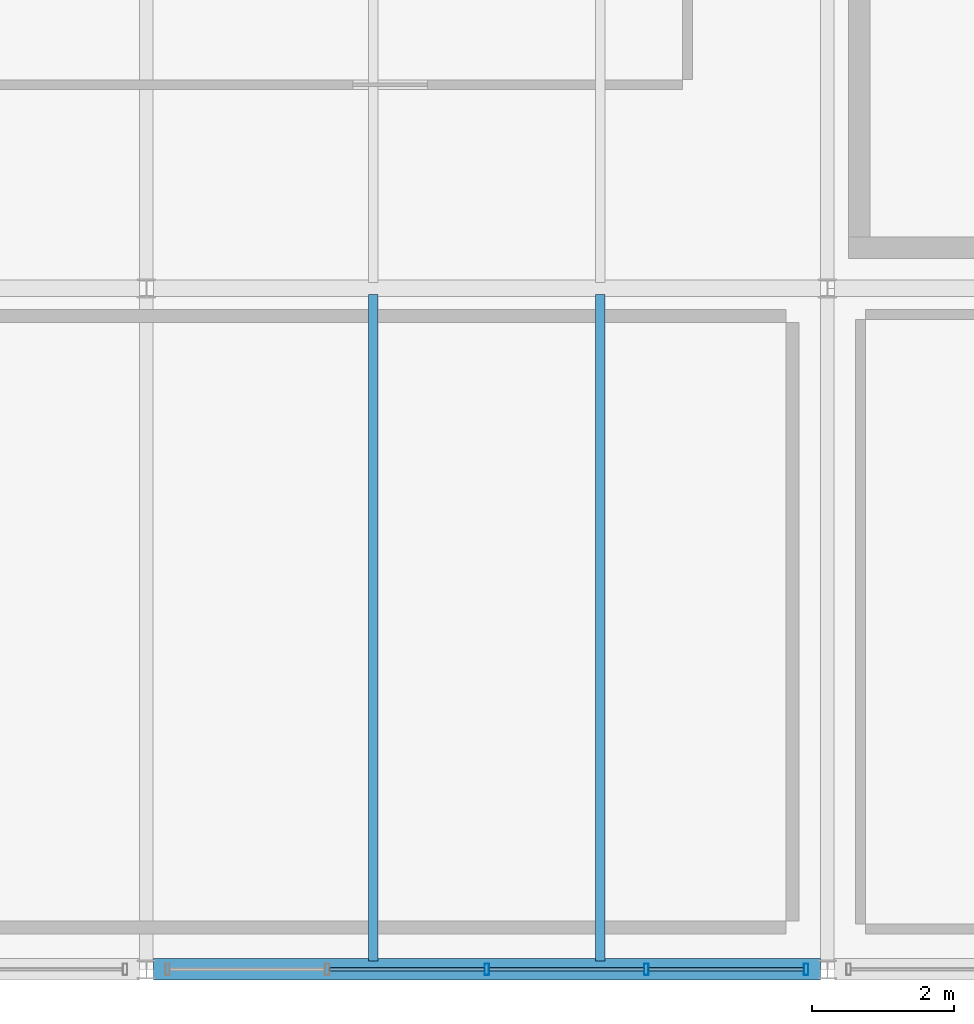
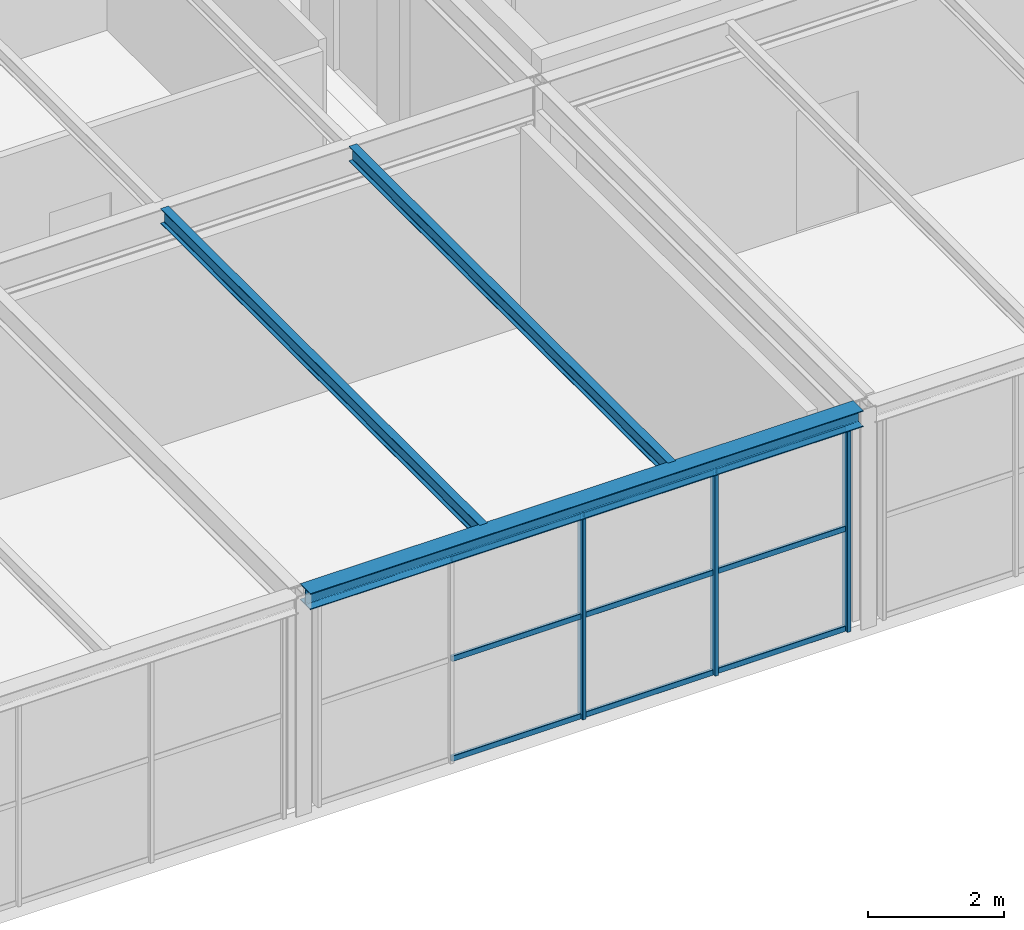
# One storey, part 20 of 39: 12 members, 3 beams, 1 element without a shape of its own.
"""IFC4 building model written with IfcOpenShell, lengths in metres."""

from ifc_helpers import new_model, si_unit, direction, frame, origin, origin_2d, place, context, subcontext, project, spatial, hollow_rectangle, i_section, extrude, material, material_profile, profile_set, type_object, element, aggregate, save


model = new_model("IFC4")

# Units and contexts
model_context = context("Model", 3, precision=1e-05, world=origin(), true_north=direction((0.0, 1.0)))
body_context = subcontext(model_context, "Body", "Model", "MODEL_VIEW")
ifc_project = project(units=[si_unit("LENGTHUNIT", "METRE"), si_unit("AREAUNIT", "SQUARE_METRE"), si_unit("VOLUMEUNIT", "CUBIC_METRE"), si_unit("PLANEANGLEUNIT", "RADIAN"), si_unit("MASSUNIT", "GRAM", prefix="KILO")], contexts=[model_context])

# Site, building, storey
site_placement = place(None, origin())
site = spatial("IfcSite", under=ifc_project, at=site_placement, CompositionType="ELEMENT")
building_placement = place(site_placement, origin())
building = spatial("IfcBuilding", under=site, at=building_placement, Name="Coralgate Yard Interchange", CompositionType="ELEMENT")
storey_placement = place(building_placement, frame((0.0, 0.0, 18.89990234375)))
storey = spatial("IfcBuildingStorey", under=building, at=storey_placement, Name="L04", CompositionType="ELEMENT", Elevation=18.89990234375)

# Beams
ifc_material_1 = material(Name="Structural steel S355J2", Category="steel")
ifc_material_profile_1 = material_profile(ifc_material_1, i_section(OverallWidth=0.135009765625, OverallDepth=0.27001953125, WebThickness=0.006591796875, FlangeThickness=0.01025390625, FilletRadius=0.014892578125, at=origin_2d()), Name="IPE 270")
ifc_profile_set_1 = profile_set([ifc_material_profile_1], Name="Structural steel S355J2")
beam_type_1 = type_object("IfcBeamType", Name="BM-SJ-3", PredefinedType="JOIST", material=ifc_profile_set_1)
for number, where, z_axis, x_axis, name in (
    (1, (41.60009765625, 0.1201171875, 3.815185546875), (0.0, 1.0, 0.0), (-1.0, 0.0, 0.0), "L04 composite floor joist 4-0-1"),
    (2, (44.800048828125, 0.1201171875, 3.815185546875), (0.0, 1.0, 0.0), (-1.0, 0.0, 0.0), "L04 composite floor joist 4-0-2"),
):
    element("IfcBeam", number, at=place(storey_placement, frame(where, z_axis=z_axis, x_axis=x_axis)), inside=storey, type_object=beam_type_1, Name=name, PredefinedType="JOIST", context=body_context, shape_type="SweptSolid", body=[
        extrude(i_section(OverallWidth=0.135009765625, OverallDepth=0.27001953125, WebThickness=0.006591796875, FlangeThickness=0.01025390625, FilletRadius=0.014892578125, at=origin_2d()), origin(), (0.0, 0.0, 1.0), 9.395751953125),
    ])
ifc_material_profile_2 = material_profile(ifc_material_1, i_section(OverallWidth=0.300048828125, OverallDepth=0.2900390625, WebThickness=0.008544921875, FlangeThickness=0.013916015625, FilletRadius=0.027099609375, at=origin_2d()), Name="HEA 300")
ifc_profile_set_2 = profile_set([ifc_material_profile_2], Name="Structural steel S355J2")
beam_type_2 = type_object("IfcBeamType", Name="BM-SP-2", PredefinedType="SPANDREL", material=ifc_profile_set_2)
beam_placement = place(storey_placement, frame((38.49951171875, 0.0, 3.80517578125), z_axis=(1.0, 0.0, 0.0), x_axis=(0.0, 1.0, 0.0)))
element("IfcBeam", 3, at=beam_placement, inside=storey, type_object=beam_type_2, Name="L04 primary grid beam Y0 X4-5", PredefinedType="SPANDREL", context=body_context, shape_type="SweptSolid", body=[
    extrude(i_section(OverallWidth=0.300048828125, OverallDepth=0.2900390625, WebThickness=0.008544921875, FlangeThickness=0.013916015625, FilletRadius=0.027099609375, at=origin_2d()), origin(), (0.0, 0.0, 1.0), 9.401123046875),
])

# Curtain wall, members
ifc_material_2 = material(Name="Anodised coastal aluminium and solar-control low-E glass", Category="aluminium")
curtain_wall_type = type_object("IfcCurtainWallType", Name="CW-CW-L04-A", PredefinedType="NOTDEFINED", material=ifc_material_2)
curtain_wall_placement = place(storey_placement, origin())
curtain_wall = element("IfcCurtainWall", 4, at=curtain_wall_placement, inside=storey, type_object=curtain_wall_type, Name="L04 unitised curtain wall CW-L04-S-04-00", PredefinedType="NOTDEFINED")
ifc_material_3 = material(Name="Anodised coastal aluminium 6063-T6", Category="aluminium")
ifc_material_profile_3 = material_profile(ifc_material_3, hollow_rectangle(XDim=0.06494140625, YDim=0.159912109375, WallThickness=0.00390625, InnerFilletRadius=0.00390625, OuterFilletRadius=0.008056640625, at=origin_2d()), Name="ALU 65x160x4")
ifc_profile_set_3 = profile_set([ifc_material_profile_3], Name="Anodised coastal aluminium 6063-T6")
member_type_1 = type_object("IfcMemberType", Name="MB-MUL-160", PredefinedType="MULLION", material=ifc_profile_set_3)
member_1_placement = place(storey_placement, frame((47.699951171875, 0.0, 0.0), z_axis=(0.0, 0.0, 1.0), x_axis=(1.0, 0.0, 0.0)))
member_1 = element("IfcMember", 5, at=member_1_placement, type_object=member_type_1, Name="CW-L04-S-04-00 vertical mullion 1", PredefinedType="MULLION", context=body_context, shape_type="SweptSolid", body=[
    extrude(hollow_rectangle(XDim=0.06494140625, YDim=0.159912109375, WallThickness=0.00390625, InnerFilletRadius=0.00390625, OuterFilletRadius=0.008056640625, at=origin_2d()), origin(), (0.0, 0.0, 1.0), 3.66015625),
])
member_2_placement = place(storey_placement, frame((45.449951171875, 0.0, 0.0), z_axis=(0.0, 0.0, 1.0), x_axis=(1.0, 0.0, 0.0)))
member_2 = element("IfcMember", 6, at=member_2_placement, type_object=member_type_1, Name="CW-L04-S-04-00 vertical mullion 2", PredefinedType="MULLION", context=body_context, shape_type="SweptSolid", body=[
    extrude(hollow_rectangle(XDim=0.06494140625, YDim=0.159912109375, WallThickness=0.00390625, InnerFilletRadius=0.00390625, OuterFilletRadius=0.008056640625, at=origin_2d()), origin(), (0.0, 0.0, 1.0), 3.66015625),
])
member_3_placement = place(storey_placement, frame((43.199951171875, 0.0, 0.0), z_axis=(0.0, 0.0, 1.0), x_axis=(1.0, 0.0, 0.0)))
member_3 = element("IfcMember", 7, at=member_3_placement, type_object=member_type_1, Name="CW-L04-S-04-00 vertical mullion 3", PredefinedType="MULLION", context=body_context, shape_type="SweptSolid", body=[
    extrude(hollow_rectangle(XDim=0.06494140625, YDim=0.159912109375, WallThickness=0.00390625, InnerFilletRadius=0.00390625, OuterFilletRadius=0.008056640625, at=origin_2d()), origin(), (0.0, 0.0, 1.0), 3.66015625),
])
ifc_material_profile_4 = material_profile(ifc_material_3, hollow_rectangle(XDim=0.050048828125, YDim=0.10009765625, WallThickness=0.0029296875, InnerFilletRadius=0.0029296875, OuterFilletRadius=0.006103515625, at=origin_2d()), Name="ALU 50x100x3")
ifc_profile_set_4 = profile_set([ifc_material_profile_4], Name="Anodised coastal aluminium 6063-T6")
member_type_2 = type_object("IfcMemberType", Name="MB-TRN-100", PredefinedType="USERDEFINED", material=ifc_profile_set_4)
member_4_placement = place(storey_placement, frame((47.669921875, 0.0, 0.03515625), z_axis=(-1.0, 0.0, 0.0), x_axis=(0.0, -1.0, 0.0)))
member_4 = element("IfcMember", 8, at=member_4_placement, type_object=member_type_2, Name="CW-L04-S-04-00 horizontal transom 1-1", ObjectType="TRANSOM", PredefinedType="USERDEFINED", context=body_context, shape_type="SweptSolid", body=[
    extrude(hollow_rectangle(XDim=0.050048828125, YDim=0.10009765625, WallThickness=0.0029296875, InnerFilletRadius=0.0029296875, OuterFilletRadius=0.006103515625, at=origin_2d()), origin(), (0.0, 0.0, 1.0), 2.18994140625),
])
member_5_placement = place(storey_placement, frame((47.669921875, 0.0, 1.830078125), z_axis=(-1.0, 0.0, 0.0), x_axis=(0.0, -1.0, 0.0)))
member_5 = element("IfcMember", 9, at=member_5_placement, type_object=member_type_2, Name="CW-L04-S-04-00 horizontal transom 1-2", ObjectType="TRANSOM", PredefinedType="USERDEFINED", context=body_context, shape_type="SweptSolid", body=[
    extrude(hollow_rectangle(XDim=0.050048828125, YDim=0.10009765625, WallThickness=0.0029296875, InnerFilletRadius=0.0029296875, OuterFilletRadius=0.006103515625, at=origin_2d()), origin(), (0.0, 0.0, 1.0), 2.18994140625),
])
member_6_placement = place(storey_placement, frame((47.669921875, 0.0, 3.625), z_axis=(-1.0, 0.0, 0.0), x_axis=(0.0, -1.0, 0.0)))
member_6 = element("IfcMember", 10, at=member_6_placement, type_object=member_type_2, Name="CW-L04-S-04-00 horizontal transom 1-3", ObjectType="TRANSOM", PredefinedType="USERDEFINED", context=body_context, shape_type="SweptSolid", body=[
    extrude(hollow_rectangle(XDim=0.050048828125, YDim=0.10009765625, WallThickness=0.0029296875, InnerFilletRadius=0.0029296875, OuterFilletRadius=0.006103515625, at=origin_2d()), origin(), (0.0, 0.0, 1.0), 2.18994140625),
])
member_7_placement = place(storey_placement, frame((45.419921875, 0.0, 0.03515625), z_axis=(-1.0, 0.0, 0.0), x_axis=(0.0, -1.0, 0.0)))
member_7 = element("IfcMember", 11, at=member_7_placement, type_object=member_type_2, Name="CW-L04-S-04-00 horizontal transom 2-1", ObjectType="TRANSOM", PredefinedType="USERDEFINED", context=body_context, shape_type="SweptSolid", body=[
    extrude(hollow_rectangle(XDim=0.050048828125, YDim=0.10009765625, WallThickness=0.0029296875, InnerFilletRadius=0.0029296875, OuterFilletRadius=0.006103515625, at=origin_2d()), origin(), (0.0, 0.0, 1.0), 2.18994140625),
])
member_8_placement = place(storey_placement, frame((45.419921875, 0.0, 1.830078125), z_axis=(-1.0, 0.0, 0.0), x_axis=(0.0, -1.0, 0.0)))
member_8 = element("IfcMember", 12, at=member_8_placement, type_object=member_type_2, Name="CW-L04-S-04-00 horizontal transom 2-2", ObjectType="TRANSOM", PredefinedType="USERDEFINED", context=body_context, shape_type="SweptSolid", body=[
    extrude(hollow_rectangle(XDim=0.050048828125, YDim=0.10009765625, WallThickness=0.0029296875, InnerFilletRadius=0.0029296875, OuterFilletRadius=0.006103515625, at=origin_2d()), origin(), (0.0, 0.0, 1.0), 2.18994140625),
])
member_9_placement = place(storey_placement, frame((45.419921875, 0.0, 3.625), z_axis=(-1.0, 0.0, 0.0), x_axis=(0.0, -1.0, 0.0)))
member_9 = element("IfcMember", 13, at=member_9_placement, type_object=member_type_2, Name="CW-L04-S-04-00 horizontal transom 2-3", ObjectType="TRANSOM", PredefinedType="USERDEFINED", context=body_context, shape_type="SweptSolid", body=[
    extrude(hollow_rectangle(XDim=0.050048828125, YDim=0.10009765625, WallThickness=0.0029296875, InnerFilletRadius=0.0029296875, OuterFilletRadius=0.006103515625, at=origin_2d()), origin(), (0.0, 0.0, 1.0), 2.18994140625),
])
member_10_placement = place(storey_placement, frame((43.169921875, 0.0, 0.03515625), z_axis=(-1.0, 0.0, 0.0), x_axis=(0.0, -1.0, 0.0)))
member_10 = element("IfcMember", 14, at=member_10_placement, type_object=member_type_2, Name="CW-L04-S-04-00 horizontal transom 3-1", ObjectType="TRANSOM", PredefinedType="USERDEFINED", context=body_context, shape_type="SweptSolid", body=[
    extrude(hollow_rectangle(XDim=0.050048828125, YDim=0.10009765625, WallThickness=0.0029296875, InnerFilletRadius=0.0029296875, OuterFilletRadius=0.006103515625, at=origin_2d()), origin(), (0.0, 0.0, 1.0), 2.18994140625),
])
member_11_placement = place(storey_placement, frame((43.169921875, 0.0, 1.830078125), z_axis=(-1.0, 0.0, 0.0), x_axis=(0.0, -1.0, 0.0)))
member_11 = element("IfcMember", 15, at=member_11_placement, type_object=member_type_2, Name="CW-L04-S-04-00 horizontal transom 3-2", ObjectType="TRANSOM", PredefinedType="USERDEFINED", context=body_context, shape_type="SweptSolid", body=[
    extrude(hollow_rectangle(XDim=0.050048828125, YDim=0.10009765625, WallThickness=0.0029296875, InnerFilletRadius=0.0029296875, OuterFilletRadius=0.006103515625, at=origin_2d()), origin(), (0.0, 0.0, 1.0), 2.18994140625),
])
member_12_placement = place(storey_placement, frame((43.169921875, 0.0, 3.625), z_axis=(-1.0, 0.0, 0.0), x_axis=(0.0, -1.0, 0.0)))
member_12 = element("IfcMember", 16, at=member_12_placement, type_object=member_type_2, Name="CW-L04-S-04-00 horizontal transom 3-3", ObjectType="TRANSOM", PredefinedType="USERDEFINED", context=body_context, shape_type="SweptSolid", body=[
    extrude(hollow_rectangle(XDim=0.050048828125, YDim=0.10009765625, WallThickness=0.0029296875, InnerFilletRadius=0.0029296875, OuterFilletRadius=0.006103515625, at=origin_2d()), origin(), (0.0, 0.0, 1.0), 2.18994140625),
])
aggregate(curtain_wall, [member_1, member_2, member_3, member_4, member_5, member_6, member_7, member_8, member_9, member_10, member_11, member_12])

save(model, "model.ifc")
